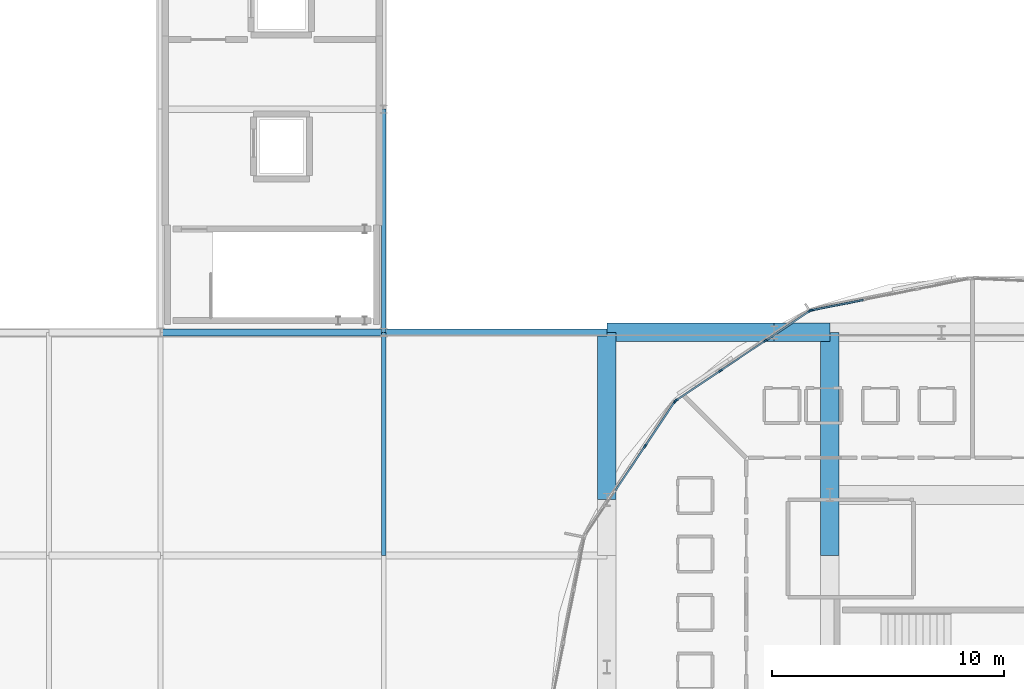
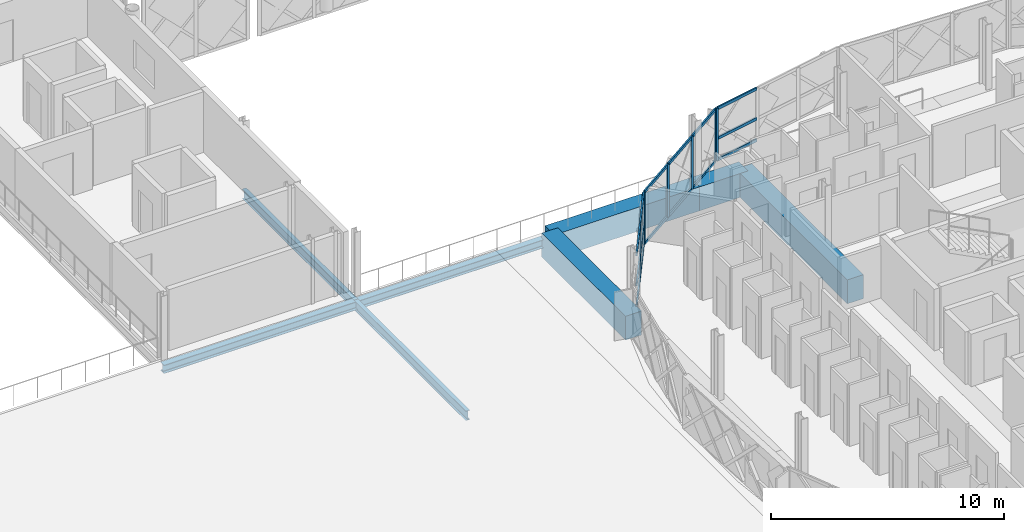
# One storey, part 14 of 53: 22 members, 8 beams, 3 elements without a shape of their own.
"""IFC4 building model written with IfcOpenShell, lengths in metres."""

from ifc_helpers import new_model, si_unit, direction, frame, origin, origin_2d, place, context, subcontext, project, spatial, rectangle, i_section, extrude, material, layer, layer_set, material_profile, profile_set, type_object, element, aggregate, save


model = new_model("IFC4")

# Units and contexts
model_context = context("Model", 3, precision=1e-05, world=origin(), true_north=direction((0.0, 1.0)))
body_context = subcontext(model_context, "Body", "Model", "MODEL_VIEW")
ifc_project = project(units=[si_unit("LENGTHUNIT", "METRE"), si_unit("AREAUNIT", "SQUARE_METRE"), si_unit("VOLUMEUNIT", "CUBIC_METRE"), si_unit("PLANEANGLEUNIT", "RADIAN"), si_unit("MASSUNIT", "GRAM", prefix="KILO")], contexts=[model_context])

# Site, building, storey
site_placement = place(None, origin())
site = spatial("IfcSite", under=ifc_project, at=site_placement, CompositionType="ELEMENT")
building_placement = place(site_placement, origin())
building = spatial("IfcBuilding", under=site, at=building_placement, Name="Zevrakil Square Congress Hotel", CompositionType="ELEMENT")
storey_placement = place(building_placement, frame((0.0, 0.0, 14.699951171875)))
storey = spatial("IfcBuildingStorey", under=building, at=storey_placement, Name="L04", CompositionType="ELEMENT", Elevation=14.699951171875)

# Beams
ifc_material_1 = material(Name="Steel S355", Category="steel")
ifc_material_profile_1 = material_profile(ifc_material_1, i_section(OverallWidth=0.300048828125, OverallDepth=0.43994140625, WebThickness=0.011474609375, FlangeThickness=0.02099609375, FilletRadius=0.027099609375, at=origin_2d()), Name="HEA 450")
ifc_profile_set_1 = profile_set([ifc_material_profile_1], Name="Steel S355")
beam_type_1 = type_object("IfcBeamType", Name="BM-HEA450", PredefinedType="BEAM", material=ifc_profile_set_1)
beam_1_placement = place(storey_placement, frame((108.0, 45.60009765625, -0.47998046875), z_axis=(1.0, 0.0, 0.0), x_axis=(0.0, 1.0, 0.0)))
element("IfcBeam", 1, at=beam_1_placement, inside=storey, type_object=beam_type_1, Name="L04 primary girder BX-1230", PredefinedType="BEAM", context=body_context, shape_type="SweptSolid", body=[
    extrude(i_section(OverallWidth=0.300048828125, OverallDepth=0.43994140625, WebThickness=0.011474609375, FlangeThickness=0.02099609375, FilletRadius=0.027099609375, at=origin_2d()), origin(), (0.0, 0.0, 1.0), 9.60009765625),
])
beam_2_placement = place(storey_placement, frame((117.60009765625, 45.60009765625, -0.47998046875), z_axis=(1.0, 0.0, 0.0), x_axis=(0.0, 1.0, 0.0)))
element("IfcBeam", 2, at=beam_2_placement, inside=storey, type_object=beam_type_1, Name="L04 primary girder BX-1231", PredefinedType="BEAM", context=body_context, shape_type="SweptSolid", body=[
    extrude(i_section(OverallWidth=0.300048828125, OverallDepth=0.43994140625, WebThickness=0.011474609375, FlangeThickness=0.02099609375, FilletRadius=0.027099609375, at=origin_2d()), origin(), (0.0, 0.0, 1.0), 9.599853515625),
])
ifc_material_2 = material(Name="Steel S355", Category="steel")
ifc_material_profile_2 = material_profile(ifc_material_2, i_section(OverallWidth=0.199951171875, OverallDepth=0.5, WebThickness=0.01025390625, FlangeThickness=0.01611328125, FilletRadius=0.02099609375, at=origin_2d()), Name="IPE 500")
ifc_profile_set_2 = profile_set([ifc_material_profile_2], Name="Steel S355")
beam_type_2 = type_object("IfcBeamType", Name="BM-IPE500", PredefinedType="BEAM", material=ifc_profile_set_2)
beam_3_placement = place(storey_placement, frame((117.60009765625, 36.0, -0.510009765625), z_axis=(0.0, 1.0, 0.0), x_axis=(-1.0, 0.0, 0.0)))
element("IfcBeam", 3, at=beam_3_placement, inside=storey, type_object=beam_type_2, Name="L04 primary girder BY-1344", PredefinedType="BEAM", context=body_context, shape_type="SweptSolid", body=[
    extrude(i_section(OverallWidth=0.199951171875, OverallDepth=0.5, WebThickness=0.01025390625, FlangeThickness=0.01611328125, FilletRadius=0.02099609375, at=origin_2d()), origin(), (0.0, 0.0, 1.0), 9.60009765625),
])
beam_4_placement = place(storey_placement, frame((117.60009765625, 45.60009765625, -0.510009765625), z_axis=(0.0, 1.0, 0.0), x_axis=(-1.0, 0.0, 0.0)))
element("IfcBeam", 4, at=beam_4_placement, inside=storey, type_object=beam_type_2, Name="L04 primary girder BY-1345", PredefinedType="BEAM", context=body_context, shape_type="SweptSolid", body=[
    extrude(i_section(OverallWidth=0.199951171875, OverallDepth=0.5, WebThickness=0.01025390625, FlangeThickness=0.01611328125, FilletRadius=0.02099609375, at=origin_2d()), origin(), (0.0, 0.0, 1.0), 9.599853515625),
])
ifc_material_3 = material(Name="Concrete C40/50", Category="concrete")
ifc_material_profile_3 = material_profile(ifc_material_3, rectangle(XDim=0.800048828125, YDim=1.25, at=origin_2d()), Name="RC 800x1250")
ifc_profile_set_3 = profile_set([ifc_material_profile_3], Name="Concrete C40/50")
beam_type_3 = type_object("IfcBeamType", Name="BM-RC800x1250", PredefinedType="BEAM", material=ifc_profile_set_3)
beam_5_placement = place(storey_placement, frame((127.199951171875, 45.60009765625, -0.625), z_axis=(1.0, 0.0, 0.0), x_axis=(0.0, 1.0, 0.0)))
element("IfcBeam", 5, at=beam_5_placement, inside=storey, type_object=beam_type_3, Name="L04 drum transfer girder TB-002", PredefinedType="BEAM", context=body_context, shape_type="SweptSolid", body=[
    extrude(rectangle(XDim=0.800048828125, YDim=1.25, at=origin_2d()), origin(), (0.0, 0.0, 1.0), 7.199951171875),
])
beam_6_placement = place(storey_placement, frame((134.39990234375, 45.60009765625, -0.625), z_axis=(1.0, 0.0, 0.0), x_axis=(0.0, 1.0, 0.0)))
element("IfcBeam", 6, at=beam_6_placement, inside=storey, type_object=beam_type_3, Name="L04 drum transfer girder TB-004", PredefinedType="BEAM", context=body_context, shape_type="SweptSolid", body=[
    extrude(rectangle(XDim=0.800048828125, YDim=1.25, at=origin_2d()), origin(), (0.0, 0.0, 1.0), 2.400146484375),
])
beam_7_placement = place(storey_placement, frame((127.199951171875, 38.39990234375, -0.625), z_axis=(0.0, 1.0, 0.0), x_axis=(-1.0, 0.0, 0.0)))
element("IfcBeam", 7, at=beam_7_placement, inside=storey, type_object=beam_type_3, Name="L04 drum transfer girder TB-016", PredefinedType="BEAM", context=body_context, shape_type="SweptSolid", body=[
    extrude(rectangle(XDim=0.800048828125, YDim=1.25, at=origin_2d()), origin(), (0.0, 0.0, 1.0), 7.2001953125),
])
beam_8_placement = place(storey_placement, frame((136.800048828125, 36.0, -0.625), z_axis=(0.0, 1.0, 0.0), x_axis=(-1.0, 0.0, 0.0)))
element("IfcBeam", 8, at=beam_8_placement, inside=storey, type_object=beam_type_3, Name="L04 drum transfer girder TB-028", PredefinedType="BEAM", context=body_context, shape_type="SweptSolid", body=[
    extrude(rectangle(XDim=0.800048828125, YDim=1.25, at=origin_2d()), origin(), (0.0, 0.0, 1.0), 9.60009765625),
])

# Curtain wall, members
ifc_material_4 = material(Name="Aluminium Anodised Bronze", Category="aluminium")
ifc_layer = layer(ifc_material_4, 0.179931640625)
ifc_layer_set = layer_set([ifc_layer], Name="Aluminium Anodised Bronze")
curtain_wall_type = type_object("IfcCurtainWallType", Name="CW-L04-720", PredefinedType="USERDEFINED", material=ifc_layer_set)
curtain_wall_1_placement = place(storey_placement, origin())
curtain_wall_1 = element("IfcCurtainWall", 9, at=curtain_wall_1_placement, inside=storey, type_object=curtain_wall_type, Name="L04 diamond curtain wall CW-L04-0176", ObjectType="GLAZED CURTAIN WALL", PredefinedType="USERDEFINED")
ifc_material_5 = material(Name="Aluminium Anodised Bronze", Category="aluminium")
ifc_material_profile_4 = material_profile(ifc_material_5, rectangle(XDim=0.074951171875, YDim=0.14990234375, at=origin_2d()), Name="ALU 75x150")
ifc_profile_set_4 = profile_set([ifc_material_profile_4], Name="Aluminium Anodised Bronze")
member_type_1 = type_object("IfcMemberType", Name="CWM-ALU75x150", PredefinedType="USERDEFINED", material=ifc_profile_set_4)
member_1_placement = place(storey_placement, frame((138.23486328125, 46.992919921875, 0.030029296875), z_axis=(-0.98078922397, -0.195070495322, 0.0), x_axis=(0.195070495322, -0.98078922397, 0.0)))
member_1 = element("IfcMember", 10, at=member_1_placement, type_object=member_type_1, Name="CW-46 transom 3.1", ObjectType="TRANSOM", PredefinedType="USERDEFINED", context=body_context, shape_type="SweptSolid", body=[
    extrude(rectangle(XDim=0.074951171875, YDim=0.14990234375, at=origin_2d()), origin(), (0.0, 0.0, 1.0), 2.245361328125),
])
member_2_placement = place(storey_placement, frame((138.23486328125, 46.992919921875, 1.155029296875), z_axis=(-0.98078922397, -0.195070495322, 0.0), x_axis=(0.195070495322, -0.98078922397, 0.0)))
member_2 = element("IfcMember", 11, at=member_2_placement, type_object=member_type_1, Name="CW-46 transom 3.2", ObjectType="TRANSOM", PredefinedType="USERDEFINED", context=body_context, shape_type="SweptSolid", body=[
    extrude(rectangle(XDim=0.074951171875, YDim=0.14990234375, at=origin_2d()), origin(), (0.0, 0.0, 1.0), 2.245361328125),
])
member_3_placement = place(storey_placement, frame((138.23486328125, 46.992919921875, 2.719970703125), z_axis=(-0.98078922397, -0.195070495322, 0.0), x_axis=(0.195070495322, -0.98078922397, 0.0)))
member_3 = element("IfcMember", 12, at=member_3_placement, type_object=member_type_1, Name="CW-46 transom 3.3", ObjectType="TRANSOM", PredefinedType="USERDEFINED", context=body_context, shape_type="SweptSolid", body=[
    extrude(rectangle(XDim=0.074951171875, YDim=0.14990234375, at=origin_2d()), origin(), (0.0, 0.0, 1.0), 2.245361328125),
])

curtain_wall_2_placement = place(storey_placement, origin())
curtain_wall_2 = element("IfcCurtainWall", 13, at=curtain_wall_2_placement, inside=storey, type_object=curtain_wall_type, Name="L04 diamond curtain wall CW-L04-0177", ObjectType="GLAZED CURTAIN WALL", PredefinedType="USERDEFINED")
member_4_placement = place(storey_placement, frame((135.924072265625, 46.510009765625, 0.030029296875), z_axis=(-0.831447614853, -0.555603153119, 0.0), x_axis=(0.555603153119, -0.831447614853, 0.0)))
member_4 = element("IfcMember", 14, at=member_4_placement, type_object=member_type_1, Name="CW-46 transom 1.1", ObjectType="TRANSOM", PredefinedType="USERDEFINED", context=body_context, shape_type="SweptSolid", body=[
    extrude(rectangle(XDim=0.074951171875, YDim=0.14990234375, at=origin_2d()), origin(), (0.0, 0.0, 1.0), 2.245361328125),
])
member_5_placement = place(storey_placement, frame((135.924072265625, 46.510009765625, 2.72998046875), z_axis=(-0.831447614853, -0.555603153119, 0.0), x_axis=(0.555603153119, -0.831447614853, 0.0)))
member_5 = element("IfcMember", 15, at=member_5_placement, type_object=member_type_1, Name="CW-46 transom 1.2", ObjectType="TRANSOM", PredefinedType="USERDEFINED", context=body_context, shape_type="SweptSolid", body=[
    extrude(rectangle(XDim=0.074951171875, YDim=0.14990234375, at=origin_2d()), origin(), (0.0, 0.0, 1.0), 2.245361328125),
])
member_6_placement = place(storey_placement, frame((134.00732421875, 45.229248046875, 0.030029296875), z_axis=(-0.831455548606, -0.555591280253, 0.0), x_axis=(0.555591280253, -0.831455548606, 0.0)))
member_6 = element("IfcMember", 16, at=member_6_placement, type_object=member_type_1, Name="CW-46 transom 2.1", ObjectType="TRANSOM", PredefinedType="USERDEFINED", context=body_context, shape_type="SweptSolid", body=[
    extrude(rectangle(XDim=0.074951171875, YDim=0.14990234375, at=origin_2d()), origin(), (0.0, 0.0, 1.0), 2.275390625),
])
member_7_placement = place(storey_placement, frame((134.00732421875, 45.229248046875, 2.72998046875), z_axis=(-0.831455548606, -0.555591280253, 0.0), x_axis=(0.555591280253, -0.831455548606, 0.0)))
member_7 = element("IfcMember", 17, at=member_7_placement, type_object=member_type_1, Name="CW-46 transom 2.2", ObjectType="TRANSOM", PredefinedType="USERDEFINED", context=body_context, shape_type="SweptSolid", body=[
    extrude(rectangle(XDim=0.074951171875, YDim=0.14990234375, at=origin_2d()), origin(), (0.0, 0.0, 1.0), 2.275390625),
])
member_8_placement = place(storey_placement, frame((132.065673828125, 43.931884765625, 0.030029296875), z_axis=(-0.831447614853, -0.555603153119, 0.0), x_axis=(0.555603153119, -0.831447614853, 0.0)))
member_8 = element("IfcMember", 18, at=member_8_placement, type_object=member_type_1, Name="CW-46 transom 3.1", ObjectType="TRANSOM", PredefinedType="USERDEFINED", context=body_context, shape_type="SweptSolid", body=[
    extrude(rectangle(XDim=0.074951171875, YDim=0.14990234375, at=origin_2d()), origin(), (0.0, 0.0, 1.0), 2.245361328125),
])
member_9_placement = place(storey_placement, frame((132.065673828125, 43.931884765625, 2.72998046875), z_axis=(-0.831447614853, -0.555603153119, 0.0), x_axis=(0.555603153119, -0.831447614853, 0.0)))
member_9 = element("IfcMember", 19, at=member_9_placement, type_object=member_type_1, Name="CW-46 transom 3.2", ObjectType="TRANSOM", PredefinedType="USERDEFINED", context=body_context, shape_type="SweptSolid", body=[
    extrude(rectangle(XDim=0.074951171875, YDim=0.14990234375, at=origin_2d()), origin(), (0.0, 0.0, 1.0), 2.245361328125),
])

curtain_wall_3_placement = place(storey_placement, origin())
curtain_wall_3 = element("IfcCurtainWall", 20, at=curtain_wall_3_placement, inside=storey, type_object=curtain_wall_type, Name="L04 diamond curtain wall CW-L04-0178", ObjectType="GLAZED CURTAIN WALL", PredefinedType="USERDEFINED")
member_10_placement = place(storey_placement, frame((130.115478515625, 42.601318359375, 0.030029296875), z_axis=(-0.555527981667, -0.831497842201, 0.0), x_axis=(0.831497842201, -0.555527981667, 0.0)))
member_10 = element("IfcMember", 21, at=member_10_placement, type_object=member_type_1, Name="CW-46 transom 1.1", ObjectType="TRANSOM", PredefinedType="USERDEFINED", context=body_context, shape_type="SweptSolid", body=[
    extrude(rectangle(XDim=0.074951171875, YDim=0.14990234375, at=origin_2d()), origin(), (0.0, 0.0, 1.0), 2.245361328125),
])
member_11_placement = place(storey_placement, frame((130.115478515625, 42.601318359375, 1.1591796875), z_axis=(-0.555527981667, -0.831497842201, 0.0), x_axis=(0.831497842201, -0.555527981667, 0.0)))
member_11 = element("IfcMember", 22, at=member_11_placement, type_object=member_type_1, Name="CW-46 transom 1.2", ObjectType="TRANSOM", PredefinedType="USERDEFINED", context=body_context, shape_type="SweptSolid", body=[
    extrude(rectangle(XDim=0.074951171875, YDim=0.14990234375, at=origin_2d()), origin(), (0.0, 0.0, 1.0), 2.245361328125),
])
member_12_placement = place(storey_placement, frame((130.115478515625, 42.601318359375, 2.72998046875), z_axis=(-0.555527981667, -0.831497842201, 0.0), x_axis=(0.831497842201, -0.555527981667, 0.0)))
member_12 = element("IfcMember", 23, at=member_12_placement, type_object=member_type_1, Name="CW-46 transom 1.3", ObjectType="TRANSOM", PredefinedType="USERDEFINED", context=body_context, shape_type="SweptSolid", body=[
    extrude(rectangle(XDim=0.074951171875, YDim=0.14990234375, at=origin_2d()), origin(), (0.0, 0.0, 1.0), 2.245361328125),
])
member_13_placement = place(storey_placement, frame((128.834716796875, 40.6845703125, 0.030029296875), z_axis=(-0.555517096247, -0.831505114703, 0.0), x_axis=(0.831505114703, -0.555517096247, 0.0)))
member_13 = element("IfcMember", 24, at=member_13_placement, type_object=member_type_1, Name="CW-46 transom 2.1", ObjectType="TRANSOM", PredefinedType="USERDEFINED", context=body_context, shape_type="SweptSolid", body=[
    extrude(rectangle(XDim=0.074951171875, YDim=0.14990234375, at=origin_2d()), origin(), (0.0, 0.0, 1.0), 2.275146484375),
])
member_14_placement = place(storey_placement, frame((128.834716796875, 40.6845703125, 1.1591796875), z_axis=(-0.555517096247, -0.831505114703, 0.0), x_axis=(0.831505114703, -0.555517096247, 0.0)))
member_14 = element("IfcMember", 25, at=member_14_placement, type_object=member_type_1, Name="CW-46 transom 2.2", ObjectType="TRANSOM", PredefinedType="USERDEFINED", context=body_context, shape_type="SweptSolid", body=[
    extrude(rectangle(XDim=0.074951171875, YDim=0.14990234375, at=origin_2d()), origin(), (0.0, 0.0, 1.0), 2.275146484375),
])
member_15_placement = place(storey_placement, frame((128.834716796875, 40.6845703125, 2.72998046875), z_axis=(-0.555517096247, -0.831505114703, 0.0), x_axis=(0.831505114703, -0.555517096247, 0.0)))
member_15 = element("IfcMember", 26, at=member_15_placement, type_object=member_type_1, Name="CW-46 transom 2.3", ObjectType="TRANSOM", PredefinedType="USERDEFINED", context=body_context, shape_type="SweptSolid", body=[
    extrude(rectangle(XDim=0.074951171875, YDim=0.14990234375, at=origin_2d()), origin(), (0.0, 0.0, 1.0), 2.275146484375),
])

# Member
ifc_material_6 = material(Name="Aluminium Anodised Bronze", Category="aluminium")
ifc_material_profile_5 = material_profile(ifc_material_6, rectangle(XDim=0.074951171875, YDim=0.179931640625, at=origin_2d()), Name="ALU 75x180")
ifc_profile_set_5 = profile_set([ifc_material_profile_5], Name="Aluminium Anodised Bronze")
member_type_2 = type_object("IfcMemberType", Name="CWM-ALU75x180", PredefinedType="MULLION", material=ifc_profile_set_5)
member_16_placement = place(storey_placement, frame((136.00341796875, 46.549072265625, 0.0), z_axis=(0.0, 0.0, 1.0), x_axis=(0.195083900459, -0.980786557708, 0.0)))
member_16 = element("IfcMember", 27, at=member_16_placement, type_object=member_type_2, Name="CW-46 mullion 4", PredefinedType="MULLION", context=body_context, shape_type="SweptSolid", body=[
    extrude(rectangle(XDim=0.074951171875, YDim=0.179931640625, at=origin_2d()), origin(), (0.0, 0.0, 1.0), 2.75),
])

aggregate(curtain_wall_1, [member_16, member_1, member_2, member_3])

member_17_placement = place(storey_placement, frame((135.948974609375, 46.526611328125, 0.0), z_axis=(0.0, 0.0, 1.0), x_axis=(0.555576098128, -0.831465693332, 0.0)))
member_17 = element("IfcMember", 28, at=member_17_placement, type_object=member_type_2, Name="CW-46 mullion 1", PredefinedType="MULLION", context=body_context, shape_type="SweptSolid", body=[
    extrude(rectangle(XDim=0.074951171875, YDim=0.179931640625, at=origin_2d()), origin(), (0.0, 0.0, 1.0), 2.760009765625),
])

member_18_placement = place(storey_placement, frame((134.0322265625, 45.245849609375, 0.0), z_axis=(0.0, 0.0, 1.0), x_axis=(0.555576098128, -0.831465693332, 0.0)))
member_18 = element("IfcMember", 29, at=member_18_placement, type_object=member_type_2, Name="CW-46 mullion 2", PredefinedType="MULLION", context=body_context, shape_type="SweptSolid", body=[
    extrude(rectangle(XDim=0.074951171875, YDim=0.179931640625, at=origin_2d()), origin(), (0.0, 0.0, 1.0), 2.760009765625),
])

member_19_placement = place(storey_placement, frame((132.090576171875, 43.948486328125, 0.0), z_axis=(0.0, 0.0, 1.0), x_axis=(0.555576098128, -0.831465693332, 0.0)))
member_19 = element("IfcMember", 30, at=member_19_placement, type_object=member_type_2, Name="CW-46 mullion 3", PredefinedType="MULLION", context=body_context, shape_type="SweptSolid", body=[
    extrude(rectangle(XDim=0.074951171875, YDim=0.179931640625, at=origin_2d()), origin(), (0.0, 0.0, 1.0), 2.760009765625),
])

member_20_placement = place(storey_placement, frame((130.173828125, 42.667724609375, 0.0), z_axis=(0.0, 0.0, 1.0), x_axis=(0.555576098128, -0.831465693332, 0.0)))
member_20 = element("IfcMember", 31, at=member_20_placement, type_object=member_type_2, Name="CW-46 mullion 4", PredefinedType="MULLION", context=body_context, shape_type="SweptSolid", body=[
    extrude(rectangle(XDim=0.074951171875, YDim=0.179931640625, at=origin_2d()), origin(), (0.0, 0.0, 1.0), 2.760009765625),
])

aggregate(curtain_wall_2, [member_17, member_18, member_19, member_20, member_4, member_5, member_6, member_7, member_8, member_9])

member_21_placement = place(storey_placement, frame((130.13232421875, 42.626220703125, 0.0), z_axis=(0.0, 0.0, 1.0), x_axis=(0.831465693332, -0.555576098128, 0.0)))
member_21 = element("IfcMember", 32, at=member_21_placement, type_object=member_type_2, Name="CW-46 mullion 1", PredefinedType="MULLION", context=body_context, shape_type="SweptSolid", body=[
    extrude(rectangle(XDim=0.074951171875, YDim=0.179931640625, at=origin_2d()), origin(), (0.0, 0.0, 1.0), 2.760009765625),
])

member_22_placement = place(storey_placement, frame((128.8515625, 40.70947265625, 0.0), z_axis=(0.0, 0.0, 1.0), x_axis=(0.831465693332, -0.555576098128, 0.0)))
member_22 = element("IfcMember", 33, at=member_22_placement, type_object=member_type_2, Name="CW-46 mullion 2", PredefinedType="MULLION", context=body_context, shape_type="SweptSolid", body=[
    extrude(rectangle(XDim=0.074951171875, YDim=0.179931640625, at=origin_2d()), origin(), (0.0, 0.0, 1.0), 2.760009765625),
])

aggregate(curtain_wall_3, [member_21, member_22, member_10, member_11, member_12, member_13, member_14, member_15])

save(model, "model.ifc")
